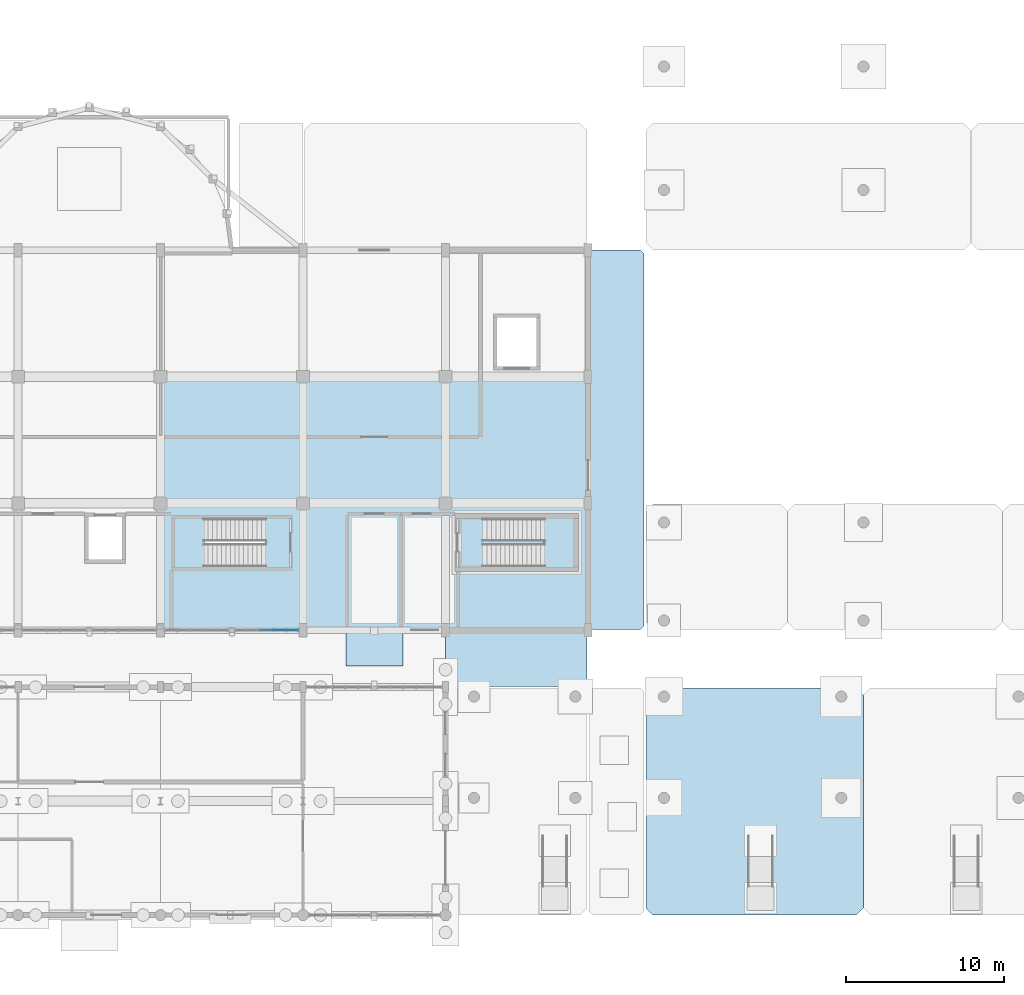
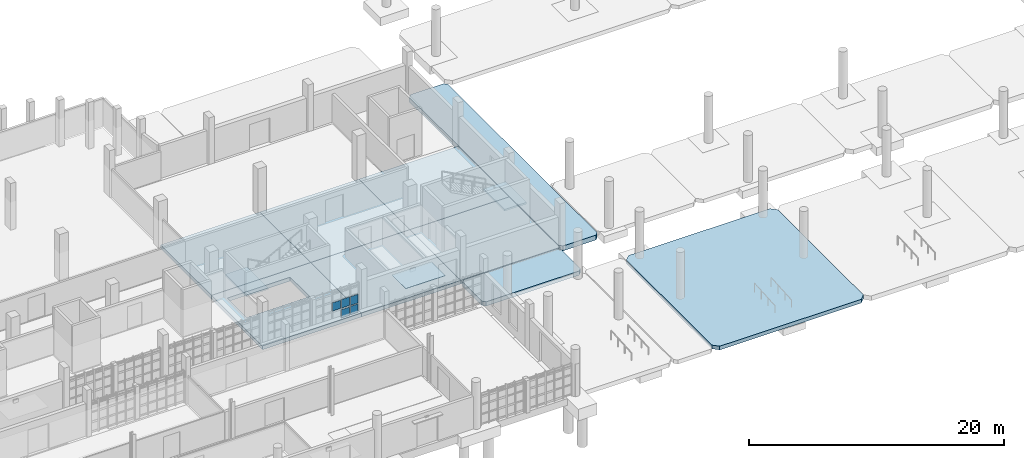
# One storey, part 35 of 63: 11 slabs, 6 plates, 3 elements without a shape of their own.
"""IFC4 building model written with IfcOpenShell, lengths in metres."""

import ifcopenshell
import ifcopenshell.guid

model = None  # the IFC model being written
_history = None  # IfcOwnerHistory: only IFC2X3 demands one
_inside = {}  # id of a spatial element -> (the spatial element, [elements in it])
_under = {}  # id of a project, library or spatial element -> (it, [spatial elements below it])
_declared = {}  # id of a project -> (the project, [libraries it declares])
_typed = {}  # id of a type object -> (the type object, [elements of that type])
_made_of = {}  # id of a material, layer set ... -> (it, [elements and type objects made of it])


def new_model(schema):
    """Start an empty IFC model of exactly this schema.

    Asked for "IFC4X3", IfcOpenShell would pick the latest addendum, in which some entities
    have other attributes; the version numbers below select the first issue.
    IFC2X3 requires an IfcOwnerHistory on every rooted entity: one is made here for all.
    """
    global model, _history
    if schema == "IFC4X3":
        model = ifcopenshell.file(schema_version=(4, 3, 0, 0))
    else:
        model = ifcopenshell.file(schema=schema)
    _inside.clear()
    _under.clear()
    _declared.clear()
    _typed.clear()
    _made_of.clear()
    _history = None
    if model.schema == "IFC2X3":
        org = make("IfcOrganization", Name="unknown")
        user = make(
            "IfcPersonAndOrganization",
            ThePerson=make("IfcPerson", FamilyName="unknown"),
            TheOrganization=org,
        )
        app = make(
            "IfcApplication",
            ApplicationDeveloper=org,
            Version="unknown",
            ApplicationFullName="unknown",
            ApplicationIdentifier="unknown",
        )
        _history = make(
            "IfcOwnerHistory",
            OwningUser=user,
            OwningApplication=app,
            ChangeAction="ADDED",
            CreationDate=0,
        )
    return model


def make(cls, **values):
    """One entity of the class cls with the attributes given. An attribute that is None is left unset."""
    return model.create_entity(
        cls, **{name: value for name, value in values.items() if value is not None}
    )


def rooted(cls, **values):
    """An entity with a GlobalId (a new one), such as an element, a storey or a relation."""
    return make(cls, GlobalId=ifcopenshell.guid.new(), OwnerHistory=_history, **values)


def si_unit(unit_type, name, prefix=None):
    """IfcSIUnit, for example si_unit("LENGTHUNIT", "METRE", prefix="MILLI")."""
    return make("IfcSIUnit", UnitType=unit_type, Prefix=prefix, Name=name)


def assignment(units):
    """IfcUnitAssignment: the units of a project."""
    return None if units is None else make("IfcUnitAssignment", Units=units)


def point(xyz):
    """IfcCartesianPoint."""
    return None if xyz is None else make("IfcCartesianPoint", Coordinates=xyz)


def direction(xyz):
    """IfcDirection."""
    return None if xyz is None else make("IfcDirection", DirectionRatios=xyz)


def frame(location, z_axis=None, x_axis=None):
    """IfcAxis2Placement3D, a coordinate frame: its origin and axes. An axis left out is left unset."""
    return make(
        "IfcAxis2Placement3D",
        Location=point(location),
        Axis=direction(z_axis),
        RefDirection=direction(x_axis),
    )


def frame_2d(location, x_axis=None):
    """IfcAxis2Placement2D, a coordinate frame in the plane: its origin and x axis."""
    return make(
        "IfcAxis2Placement2D", Location=point(location), RefDirection=direction(x_axis)
    )


def origin():
    """The frame at (0, 0, 0) with its axes left unset."""
    return frame((0.0, 0.0, 0.0))


def origin_2d():
    """The frame at (0, 0) in the plane with its x axis left unset."""
    return frame_2d((0.0, 0.0))


def place(relative_to, where):
    """IfcLocalPlacement: puts the frame where relative to a parent placement (None: the world)."""
    return make(
        "IfcLocalPlacement", PlacementRelTo=relative_to, RelativePlacement=where
    )


def context(
    kind, dimensions, precision=None, world=None, true_north=None, identifier=None
):
    """IfcGeometricRepresentationContext, for example the 3D "Model" context."""
    return make(
        "IfcGeometricRepresentationContext",
        ContextIdentifier=identifier,
        ContextType=kind,
        CoordinateSpaceDimension=dimensions,
        Precision=precision,
        WorldCoordinateSystem=world,
        TrueNorth=true_north,
    )


def subcontext(parent, identifier, kind, view, scale=None):
    """IfcGeometricRepresentationSubContext, for example "Body" below "Model"."""
    return make(
        "IfcGeometricRepresentationSubContext",
        ContextIdentifier=identifier,
        ContextType=kind,
        ParentContext=parent,
        TargetScale=scale,
        TargetView=view,
    )


def project(units=None, contexts=None):
    """IfcProject with its units and contexts."""
    return rooted(
        "IfcProject",
        Name="project",
        RepresentationContexts=contexts,
        UnitsInContext=assignment(units),
    )


def spatial(cls, under=None, at=None, **own):
    """A site, building, storey or space (cls), placed at a placement, below another one or the project."""
    s = rooted(cls, ObjectPlacement=at, **own)
    if under is not None:
        _under.setdefault(under.id(), (under, []))[1].append(s)
    return s


def polyline(points):
    """IfcPolyline through the points."""
    return make("IfcPolyline", Points=[point(p) for p in points])


def profile(cls, at=None, kind="AREA", **sizes):
    """A parametric profile (cls). Its sizes go by their IFC names, for example OverallWidth=200.0."""
    return make(cls, ProfileType=kind, Position=at, **sizes)


def rectangle(**sizes):
    """IfcRectangleProfileDef."""
    return profile("IfcRectangleProfileDef", **sizes)


def outline(outer, holes=None, kind="AREA"):
    """IfcArbitraryClosedProfileDef: a profile drawn as a closed curve; with holes, ...WithVoids."""
    if holes is None:
        return make("IfcArbitraryClosedProfileDef", ProfileType=kind, OuterCurve=outer)
    return make(
        "IfcArbitraryProfileDefWithVoids",
        ProfileType=kind,
        OuterCurve=outer,
        InnerCurves=holes,
    )


def extrude(swept, where, along, depth):
    """IfcExtrudedAreaSolid: the profile swept, set in the frame where, extruded along a direction by depth."""
    return make(
        "IfcExtrudedAreaSolid",
        SweptArea=swept,
        Position=where,
        ExtrudedDirection=direction(along),
        Depth=depth,
    )


def shape(context_of_items, identifier, shape_type, items):
    """IfcShapeRepresentation: the items that make up one representation, for example the "Body"."""
    return make(
        "IfcShapeRepresentation",
        ContextOfItems=context_of_items,
        RepresentationIdentifier=identifier,
        RepresentationType=shape_type,
        Items=items,
    )


def material(Name=None, Category=None):
    """IfcMaterial."""
    return make("IfcMaterial", Name=Name, Category=Category)


def layer(
    of_material, thickness, ventilated=None, Name=None, Category=None, Priority=None
):
    """IfcMaterialLayer: one layer of a wall or slab, of a material (None: an air gap)."""
    return make(
        "IfcMaterialLayer",
        Material=of_material,
        LayerThickness=thickness,
        IsVentilated=ventilated,
        Name=Name,
        Category=Category,
        Priority=Priority,
    )


def layer_set(layers, Name=None):
    """IfcMaterialLayerSet."""
    return make("IfcMaterialLayerSet", MaterialLayers=layers, LayerSetName=Name)


def made_of(thing, what):
    """Note that an element or type object is made of a material, layer set ...; save() writes the relation."""
    if what is not None:
        _made_of.setdefault(what.id(), (what, []))[1].append(thing)
    return thing


def type_object(cls, material=None, **own):
    """A type object (cls), such as IfcWallType, which elements share."""
    return made_of(rooted(cls, **own), material)


def element(
    cls,
    number,
    at=None,
    inside=None,
    cuts=None,
    type_object=None,
    material=None,
    context=None,
    identifier="Body",
    shape_type=None,
    held_by="IfcProductDefinitionShape",
    body=None,
    shapes=None,
    **own,
):
    """One element of the class cls, such as IfcWall. Its Tag is "e" and its number.

    at: its placement. inside: the storey or other place that contains it. cuts: it is an
    opening in that element (IfcRelVoidsElement). A single representation is given by context,
    identifier, shape_type and body (its items); several are given by shapes. held_by: the class
    of the entity that holds the representations. save() writes the other relations.
    """
    e = rooted(cls, Tag="e%d" % number, ObjectPlacement=at, **own)
    if body is not None:
        shapes = [shape(context, identifier, shape_type, body)]
    if shapes is not None:
        e.Representation = make(held_by, Representations=shapes)
    if inside is not None:
        _inside.setdefault(inside.id(), (inside, []))[1].append(e)
    if cuts is not None:
        rooted(
            "IfcRelVoidsElement", RelatingBuildingElement=cuts, RelatedOpeningElement=e
        )
    if type_object is not None:
        _typed.setdefault(type_object.id(), (type_object, []))[1].append(e)
    return made_of(e, material)


def aggregate(whole, parts):
    """IfcRelAggregates: a whole, such as a stair, and the parts it consists of."""
    return rooted("IfcRelAggregates", RelatingObject=whole, RelatedObjects=parts)


def save(model, path):
    """Write the relations noted so far, then the file.

    IfcRelAggregates (storeys below a building ...), IfcRelContainedInSpatialStructure (elements
    in a storey), IfcRelDefinesByType, IfcRelAssociatesMaterial and IfcRelDeclares: one each for
    every whole, place, type object, material and project.
    """
    for whole, parts in _under.values():
        aggregate(whole, parts)
    for where, things in _inside.values():
        rooted(
            "IfcRelContainedInSpatialStructure",
            RelatedElements=things,
            RelatingStructure=where,
        )
    for kind, things in _typed.values():
        rooted("IfcRelDefinesByType", RelatedObjects=things, RelatingType=kind)
    for what, things in _made_of.values():
        rooted("IfcRelAssociatesMaterial", RelatedObjects=things, RelatingMaterial=what)
    for by, libraries in _declared.values():
        rooted("IfcRelDeclares", RelatingContext=by, RelatedDefinitions=libraries)
    model.write(path)


model = new_model("IFC4")

# Units and contexts
model_context = context("Model", 3, precision=1e-05, world=origin(), true_north=direction((0.0, 1.0)))
body_context = subcontext(model_context, "Body", "Model", "MODEL_VIEW")
ifc_project = project(units=[si_unit("LENGTHUNIT", "METRE"), si_unit("AREAUNIT", "SQUARE_METRE"), si_unit("VOLUMEUNIT", "CUBIC_METRE"), si_unit("PLANEANGLEUNIT", "RADIAN"), si_unit("MASSUNIT", "GRAM", prefix="KILO")], contexts=[model_context])

# Site, building, storey
site_placement = place(None, origin())
site = spatial("IfcSite", under=ifc_project, at=site_placement, CompositionType="ELEMENT")
building_placement = place(site_placement, origin())
building = spatial("IfcBuilding", under=site, at=building_placement, Name="Serraforn Aerial Cableway Station", CompositionType="ELEMENT")
storey_placement = place(building_placement, origin())
storey = spatial("IfcBuildingStorey", under=building, at=storey_placement, Name="L00", CompositionType="ELEMENT", Elevation=0.0)

# Plate
ifc_material_1 = material(Name="Patinated bronze entrance canopy soffit")
ifc_layer_1 = layer(ifc_material_1, 0.035888671875)
ifc_layer_set_1 = layer_set([ifc_layer_1], Name="Patinated bronze entrance canopy soffit")
plate_type_1 = type_object("IfcPlateType", Name="CAN-BRONZE", PredefinedType="USERDEFINED", material=ifc_layer_set_1)
plate_1_placement = place(storey_placement, frame((77.10009765625, 16.840087890625, 2.73193359375), z_axis=(0.0, 0.0, 1.0), x_axis=(1.0, 0.0, 0.0)))
element("IfcPlate", 1, at=plate_1_placement, inside=storey, type_object=plate_type_1, Name="Bronze Art Deco Entrance Canopy 05", ObjectType="CANOPY PANEL", PredefinedType="USERDEFINED", context=body_context, shape_type="SweptSolid", body=[
    extrude(rectangle(XDim=3.60009765625, YDim=2.199951171875, at=origin_2d()), origin(), (0.0, 0.0, 1.0), 0.035888671875),
])

# Curtain wall, plates
ifc_material_2 = material(Name="Anodised bronze unitised curtain wall")
curtain_wall_type = type_object("IfcCurtainWallType", Name="CW-SYS-8", PredefinedType="USERDEFINED", material=ifc_material_2)
curtain_wall_placement = place(storey_placement, origin())
curtain_wall = element("IfcCurtainWall", 2, at=curtain_wall_placement, inside=storey, type_object=curtain_wall_type, Name="Unitised Curtain Wall CW-CV-L00-S5B", ObjectType="UNITISED CURTAIN WALL", PredefinedType="USERDEFINED")
ifc_material_3 = material(Name="Solar-control low-E double glazing", Category="glass")
ifc_layer_2 = layer(ifc_material_3, 0.031982421875)
ifc_layer_set_2 = layer_set([ifc_layer_2], Name="Solar-control low-E double glazing")
plate_type_2 = type_object("IfcPlateType", Name="CW-GLZ-4", PredefinedType="CURTAIN_PANEL", material=ifc_layer_set_2)
plate_2_placement = place(storey_placement, frame((70.314697265625, 18.0, 1.1337890625), z_axis=(0.0, 0.0, 1.0), x_axis=(1.0, 0.0, 0.0)))
plate_2 = element("IfcPlate", 3, at=plate_2_placement, type_object=plate_type_2, Name="Curtain Wall Panel CW-CV-L00-S5B-P3-2", PredefinedType="CURTAIN_PANEL", context=body_context, shape_type="SweptSolid", body=[
    extrude(rectangle(XDim=0.755859375, YDim=0.031982421875, at=origin_2d()), origin(), (0.0, 0.0, 1.0), 0.782470703125),
])
plate_3_placement = place(storey_placement, frame((71.129150390625, 18.0, 0.19775390625), z_axis=(0.0, 0.0, 1.0), x_axis=(1.0, 0.0, 0.0)))
plate_3 = element("IfcPlate", 4, at=plate_3_placement, type_object=plate_type_2, Name="Curtain Wall Panel CW-CV-L00-S5B-P4-1", PredefinedType="CURTAIN_PANEL", context=body_context, shape_type="SweptSolid", body=[
    extrude(rectangle(XDim=0.7509765625, YDim=0.031982421875, at=origin_2d()), origin(), (0.0, 0.0, 1.0), 0.782470703125),
])
ifc_layer_3 = layer(ifc_material_3, 0.033935546875)
ifc_layer_set_3 = layer_set([ifc_layer_3], Name="Solar-control low-E double glazing")
plate_type_3 = type_object("IfcPlateType", Name="CW-GLZ-5", PredefinedType="CURTAIN_PANEL", material=ifc_layer_set_3)
plate_4_placement = place(storey_placement, frame((71.129150390625, 18.0, 1.14111328125), z_axis=(0.0, 0.0, 1.0), x_axis=(1.0, 0.0, 0.0)))
plate_4 = element("IfcPlate", 5, at=plate_4_placement, type_object=plate_type_3, Name="Curtain Wall Panel CW-CV-L00-S5B-P4-2", PredefinedType="CURTAIN_PANEL", context=body_context, shape_type="SweptSolid", body=[
    extrude(rectangle(XDim=0.7509765625, YDim=0.033935546875, at=origin_2d()), origin(), (0.0, 0.0, 1.0), 0.802490234375),
])
plate_5_placement = place(storey_placement, frame((71.9248046875, 18.0, 0.20556640625), z_axis=(0.0, 0.0, 1.0), x_axis=(1.0, 0.0, 0.0)))
plate_5 = element("IfcPlate", 6, at=plate_5_placement, type_object=plate_type_3, Name="Curtain Wall Panel CW-CV-L00-S5B-P5-1", PredefinedType="CURTAIN_PANEL", context=body_context, shape_type="SweptSolid", body=[
    extrude(rectangle(XDim=0.70849609375, YDim=0.033935546875, at=origin_2d()), origin(), (0.0, 0.0, 1.0), 0.802490234375),
])
ifc_layer_4 = layer(ifc_material_3, 0.035888671875)
ifc_layer_set_4 = layer_set([ifc_layer_4], Name="Solar-control low-E double glazing")
plate_type_4 = type_object("IfcPlateType", Name="CW-GLZ-6", PredefinedType="CURTAIN_PANEL", material=ifc_layer_set_4)
plate_6_placement = place(storey_placement, frame((71.9248046875, 18.0, 1.11376953125), z_axis=(0.0, 0.0, 1.0), x_axis=(1.0, 0.0, 0.0)))
plate_6 = element("IfcPlate", 7, at=plate_6_placement, type_object=plate_type_4, Name="Curtain Wall Panel CW-CV-L00-S5B-P5-2", PredefinedType="CURTAIN_PANEL", context=body_context, shape_type="SweptSolid", body=[
    extrude(rectangle(XDim=0.70849609375, YDim=0.035888671875, at=origin_2d()), origin(), (0.0, 0.0, 1.0), 0.824951171875),
])
aggregate(curtain_wall, [plate_2, plate_3, plate_4, plate_5, plate_6])

# Slabs
ifc_material_4 = material(Name="Concrete C35/45", Category="concrete")
ifc_layer_5 = layer(ifc_material_4, 0.409912109375)
ifc_layer_set_5 = layer_set([ifc_layer_5], Name="Concrete C35/45")
slab_type_1 = type_object("IfcSlabType", Name="SLB-COL-410", PredefinedType="FLOOR", material=ifc_layer_set_5)
slab_1_placement = place(storey_placement, frame((0.0, 0.0, -0.409912109375)))
element("IfcSlab", 8, at=slab_1_placement, inside=storey, type_object=slab_type_1, Name="Forecourt and Cloister Colonnade Terrace PLZ-W-03", PredefinedType="FLOOR", context=body_context, shape_type="SweptSolid", body=[
    extrude(outline(polyline([(81.85009765625, 14.449951171875), (90.300048828125, 14.449951171875), (90.550048828125, 14.699951171875), (90.550048828125, 17.699951171875), (90.300048828125, 17.949951171875), (81.85009765625, 17.949951171875), (81.60009765625, 17.699951171875), (81.60009765625, 14.699951171875), (81.85009765625, 14.449951171875)])), origin(), (0.0, 0.0, 1.0), 0.409912109375),
])
ifc_material_5 = material(Name="Concrete C40/50", Category="concrete")
ifc_layer_6 = layer(ifc_material_5, 0.360107421875)
ifc_layer_set_6 = layer_set([ifc_layer_6], Name="Concrete C40/50")
slab_type_2 = type_object("IfcSlabType", Name="SLB-FLR-360", PredefinedType="FLOOR", material=ifc_layer_set_6)
slab_2_placement = place(storey_placement, frame((0.0, 0.0, -0.360107421875)))
element("IfcSlab", 9, at=slab_2_placement, inside=storey, type_object=slab_type_2, Name="Floor Slab CV-L00-5-1", PredefinedType="FLOOR", context=body_context, shape_type="SweptSolid", body=[
    extrude(outline(polyline([(63.60009765625, 18.0), (72.60009765625, 18.0), (72.60009765625, 26.0), (63.60009765625, 26.0), (63.60009765625, 18.0)]), holes=[polyline([(70.199951171875, 25.06005859375), (64.5, 25.06005859375), (64.5, 22.0), (70.199951171875, 22.0), (70.199951171875, 25.06005859375)])]), origin(), (0.0, 0.0, 1.0), 0.360107421875),
])
slab_3_placement = place(storey_placement, frame((0.0, 0.0, -0.360107421875)))
element("IfcSlab", 10, at=slab_3_placement, inside=storey, type_object=slab_type_2, Name="Floor Slab CV-L00-5-2", PredefinedType="FLOOR", context=body_context, shape_type="SweptSolid", body=[
    extrude(outline(polyline([(63.60009765625, 26.0), (72.60009765625, 26.0), (72.60009765625, 34.0), (63.60009765625, 34.0), (63.60009765625, 26.0)])), origin(), (0.0, 0.0, 1.0), 0.360107421875),
])
slab_4_placement = place(storey_placement, frame((0.0, 0.0, -0.360107421875)))
element("IfcSlab", 11, at=slab_4_placement, inside=storey, type_object=slab_type_2, Name="Floor Slab CV-L00-6-1", PredefinedType="FLOOR", context=body_context, shape_type="SweptSolid", body=[
    extrude(outline(polyline([(72.60009765625, 18.0), (81.60009765625, 18.0), (81.60009765625, 26.0), (72.60009765625, 26.0), (72.60009765625, 18.0)])), origin(), (0.0, 0.0, 1.0), 0.360107421875),
])
slab_5_placement = place(storey_placement, frame((0.0, 0.0, -0.360107421875)))
element("IfcSlab", 12, at=slab_5_placement, inside=storey, type_object=slab_type_2, Name="Floor Slab CV-L00-6-2", PredefinedType="FLOOR", context=body_context, shape_type="SweptSolid", body=[
    extrude(outline(polyline([(72.60009765625, 26.0), (81.60009765625, 26.0), (81.60009765625, 34.0), (72.60009765625, 34.0), (72.60009765625, 26.0)])), origin(), (0.0, 0.0, 1.0), 0.360107421875),
])
slab_6_placement = place(storey_placement, frame((0.0, 0.0, -0.360107421875)))
element("IfcSlab", 13, at=slab_6_placement, inside=storey, type_object=slab_type_2, Name="Floor Slab CV-L00-7-1", PredefinedType="FLOOR", context=body_context, shape_type="SweptSolid", body=[
    extrude(outline(polyline([(81.60009765625, 18.0), (90.60009765625, 18.0), (90.60009765625, 26.0), (81.60009765625, 26.0), (81.60009765625, 18.0)])), origin(), (0.0, 0.0, 1.0), 0.360107421875),
])
slab_7_placement = place(storey_placement, frame((0.0, 0.0, -0.360107421875)))
element("IfcSlab", 14, at=slab_7_placement, inside=storey, type_object=slab_type_2, Name="Floor Slab CV-L00-7-2", PredefinedType="FLOOR", context=body_context, shape_type="SweptSolid", body=[
    extrude(outline(polyline([(81.60009765625, 26.0), (90.60009765625, 26.0), (90.60009765625, 34.0), (81.60009765625, 34.0), (81.60009765625, 26.0)])), origin(), (0.0, 0.0, 1.0), 0.360107421875),
])

# Stair, slab
stair_type_1 = type_object("IfcStairType", Name="STR-DL-3", PredefinedType="HALF_TURN_STAIR", material=ifc_material_4)
stair_1_placement = place(storey_placement, origin())
stair_1 = element("IfcStair", 15, at=stair_1_placement, inside=storey, type_object=stair_type_1, Name="L00 Vault Central East Exit Stair 5", PredefinedType="HALF_TURN_STAIR")
ifc_layer_7 = layer(ifc_material_4, 0.159912109375)
ifc_layer_set_7 = layer_set([ifc_layer_7], Name="Concrete C35/45")
slab_type_3 = type_object("IfcSlabType", Name="SLB-LND-160", PredefinedType="LANDING", material=ifc_layer_set_7)
slab_8_placement = place(storey_placement, frame((0.0, 0.0, 2.090087890625)))
slab_8 = element("IfcSlab", 16, at=slab_8_placement, type_object=slab_type_3, Name="ST-05 landing 1", PredefinedType="LANDING", context=body_context, shape_type="SweptSolid", body=[
    extrude(outline(polyline([(66.3798828125, 25.179931640625), (64.3798828125, 25.179931640625), (64.3798828125, 21.8798828125), (66.3798828125, 21.8798828125), (66.3798828125, 25.179931640625)])), origin(), (0.0, 0.0, 1.0), 0.159912109375),
])
aggregate(stair_1, [slab_8])

stair_type_2 = type_object("IfcStairType", Name="STR-DL-1", PredefinedType="HALF_TURN_STAIR", material=ifc_material_4)
stair_2_placement = place(storey_placement, origin())
stair_2 = element("IfcStair", 17, at=stair_2_placement, inside=storey, type_object=stair_type_2, Name="L00 Vault East Protected Exit Stair 13", PredefinedType="HALF_TURN_STAIR")
slab_9_placement = place(storey_placement, frame((0.0, 0.0, 2.090087890625)))
slab_9 = element("IfcSlab", 18, at=slab_9_placement, type_object=slab_type_3, Name="ST-13 landing 1", PredefinedType="LANDING", context=body_context, shape_type="SweptSolid", body=[
    extrude(outline(polyline([(87.820068359375, 21.8798828125), (89.820068359375, 21.8798828125), (89.820068359375, 25.179931640625), (87.820068359375, 25.179931640625), (87.820068359375, 21.8798828125)])), origin(), (0.0, 0.0, 1.0), 0.159912109375),
])
aggregate(stair_2, [slab_9])

# Slabs
ifc_layer_8 = layer(ifc_material_4, 0.35498046875)
ifc_layer_set_8 = layer_set([ifc_layer_8], Name="Concrete C35/45")
slab_type_4 = type_object("IfcSlabType", Name="SLB-PLZ-355", PredefinedType="FLOOR", material=ifc_layer_set_8)
slab_10_placement = place(storey_placement, frame((0.0, 0.0, -0.35498046875)))
element("IfcSlab", 19, at=slab_10_placement, inside=storey, type_object=slab_type_4, Name="Forecourt and Cloister Colonnade Terrace PLZ-S-02", PredefinedType="FLOOR", context=body_context, shape_type="SweptSolid", body=[
    extrude(outline(polyline([(94.699951171875, 0.0), (107.550048828125, 0.0), (108.0, 0.449951171875), (108.0, 13.89990234375), (107.550048828125, 14.35009765625), (94.699951171875, 14.35009765625), (94.25, 13.89990234375), (94.25, 0.449951171875), (94.699951171875, 0.0)])), origin(), (0.0, 0.0, 1.0), 0.35498046875),
])
ifc_layer_9 = layer(ifc_material_4, 0.465087890625)
ifc_layer_set_9 = layer_set([ifc_layer_9], Name="Concrete C35/45")
slab_type_5 = type_object("IfcSlabType", Name="SLB-PLZ-465", PredefinedType="FLOOR", material=ifc_layer_set_9)
slab_11_placement = place(storey_placement, frame((0.0, 0.0, -0.465087890625)))
element("IfcSlab", 20, at=slab_11_placement, inside=storey, type_object=slab_type_5, Name="Forecourt and Cloister Colonnade Terrace PLZ-P-08", PredefinedType="FLOOR", context=body_context, shape_type="SweptSolid", body=[
    extrude(outline(polyline([(90.89990234375, 18.050048828125), (93.89990234375, 18.050048828125), (94.14990234375, 18.300048828125), (94.14990234375, 41.75), (93.89990234375, 42.0), (90.89990234375, 42.0), (90.64990234375, 41.75), (90.64990234375, 18.300048828125), (90.89990234375, 18.050048828125)])), origin(), (0.0, 0.0, 1.0), 0.465087890625),
])

save(model, "model.ifc")
